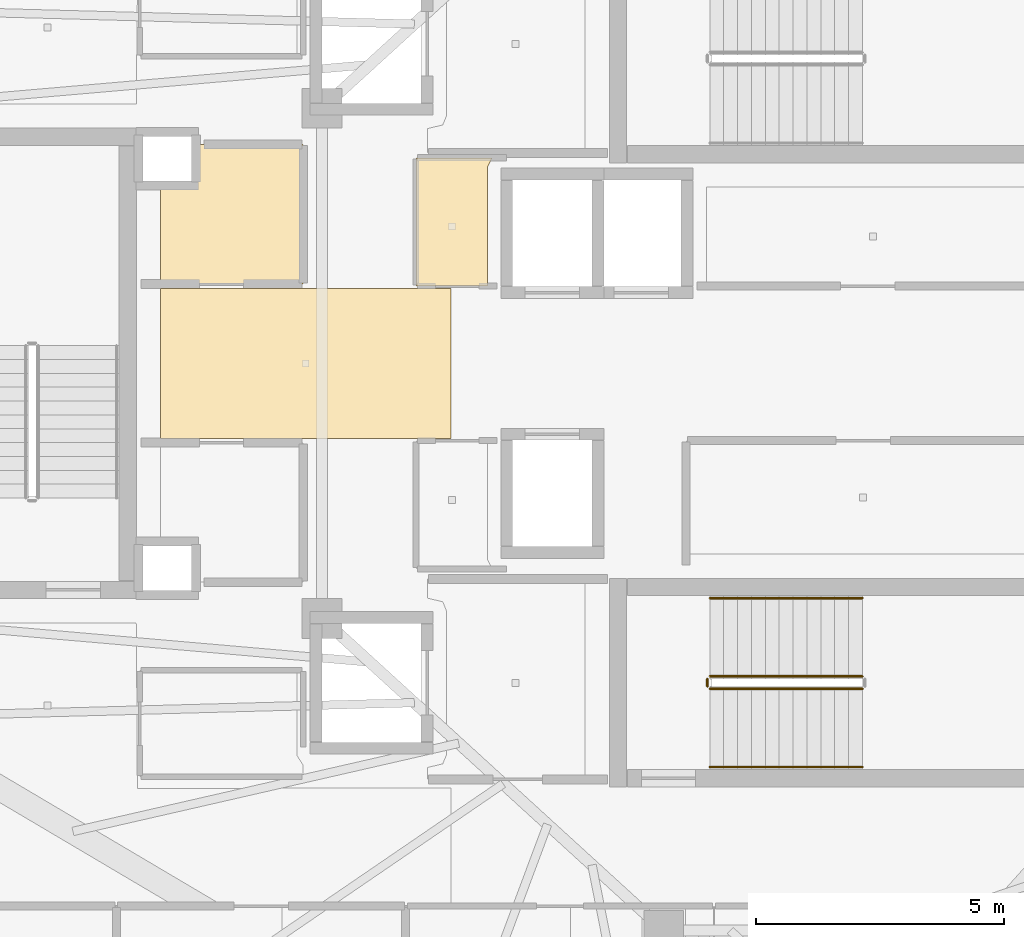
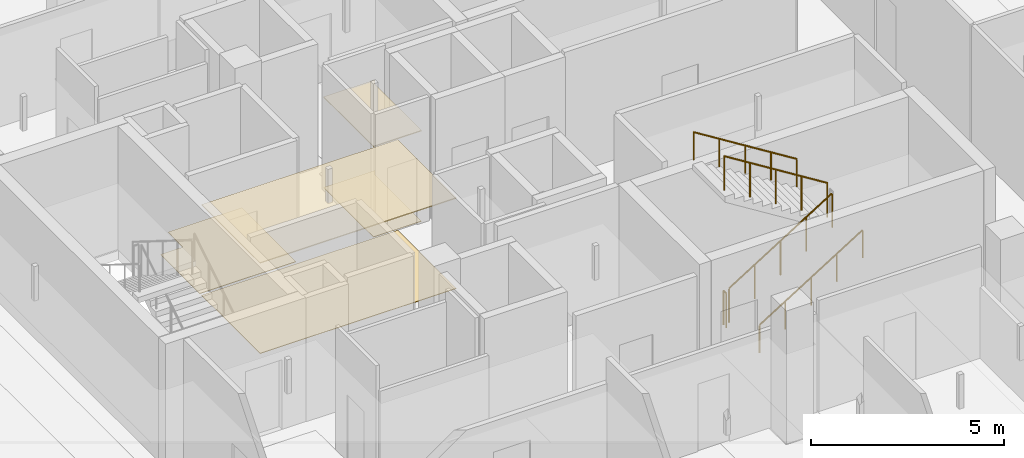
# One storey, part 30 of 33: 5 coverings, 5 railings.
"""IFC4 building model written with IfcOpenShell, lengths in metres."""

from ifc_helpers import new_model, si_unit, direction, frame, origin, origin_2d, place, context, subcontext, project, spatial, polyline, circle, outline, extrude, material, layer, layer_set, type_object, element, save


model = new_model("IFC4")

# Units and contexts
model_context = context("Model", 3, precision=1e-05, world=origin(), true_north=direction((0.0, 1.0)))
body_context = subcontext(model_context, "Body", "Model", "MODEL_VIEW")
ifc_project = project(units=[si_unit("LENGTHUNIT", "METRE"), si_unit("AREAUNIT", "SQUARE_METRE"), si_unit("VOLUMEUNIT", "CUBIC_METRE"), si_unit("PLANEANGLEUNIT", "RADIAN"), si_unit("MASSUNIT", "GRAM", prefix="KILO")], contexts=[model_context])

# Site, building, storey
site_placement = place(None, origin())
site = spatial("IfcSite", under=ifc_project, at=site_placement, CompositionType="ELEMENT")
building_placement = place(site_placement, origin())
building = spatial("IfcBuilding", under=site, at=building_placement, Name="Qorvath Tower", CompositionType="ELEMENT")
storey_placement = place(building_placement, frame((0.0, 0.0, 280.800048828125)))
storey = spatial("IfcBuildingStorey", under=building, at=storey_placement, Name="L65", CompositionType="ELEMENT", Elevation=280.800048828125)

# Coverings
ifc_material_1 = material(Name="Acoustic mineral fibre ceiling tile", Category="gypsum")
ifc_layer_1 = layer(ifc_material_1, 0.030029296875)
ifc_layer_set_1 = layer_set([ifc_layer_1], Name="COV-CEIL")
covering_type_1 = type_object("IfcCoveringType", Name="COV-CEIL", PredefinedType="CEILING", material=ifc_layer_set_1)
covering_1_placement = place(storey_placement, frame((0.0, 0.0, 2.849853515625)))
element("IfcCovering", 1, at=covering_1_placement, inside=storey, type_object=covering_type_1, Name="L65 Suspended Acoustic Ceiling 005", PredefinedType="CEILING", context=body_context, shape_type="SweptSolid", body=[
    extrude(outline(polyline([(-27.159912109375, 1.56494140625), (-27.159912109375, 3.9599609375), (-27.06689453125, 4.14501953125), (-28.594970703125, 4.14501953125), (-28.594970703125, 1.56494140625), (-27.159912109375, 1.56494140625)])), origin(), (0.0, 0.0, 1.0), 0.030029296875),
])
covering_2_placement = place(storey_placement, frame((0.0, 0.0, 2.849853515625)))
element("IfcCovering", 2, at=covering_2_placement, inside=storey, type_object=covering_type_1, Name="L65 Suspended Acoustic Ceiling 013", PredefinedType="CEILING", context=body_context, shape_type="SweptSolid", body=[
    extrude(outline(polyline([(-27.8984375, -1.514892578125), (-27.8984375, 1.514892578125), (-33.760009765625, 1.514892578125), (-33.760009765625, -1.514892578125), (-27.8984375, -1.514892578125)])), origin(), (0.0, 0.0, 1.0), 0.030029296875),
])
ifc_material_2 = material(Name="Low-VOC modular carpet tile", Category="textile")
ifc_layer_2 = layer(ifc_material_2, 0.014892578125)
ifc_layer_set_2 = layer_set([ifc_layer_2], Name="COV-FLOOR-CPT")
covering_type_2 = type_object("IfcCoveringType", Name="COV-FLOOR-CPT", PredefinedType="FLOORING", material=ifc_layer_set_2)
covering_3_placement = place(storey_placement, origin())
element("IfcCovering", 3, at=covering_3_placement, inside=storey, type_object=covering_type_2, Name="L65 Floor Finish 005", PredefinedType="FLOORING", context=body_context, shape_type="SweptSolid", body=[
    extrude(outline(polyline([(-27.159912109375, 1.56494140625), (-27.159912109375, 3.9599609375), (-27.06689453125, 4.14501953125), (-28.594970703125, 4.14501953125), (-28.594970703125, 1.56494140625), (-27.159912109375, 1.56494140625)])), origin(), (0.0, 0.0, 1.0), 0.014892578125),
])
covering_4_placement = place(storey_placement, origin())
element("IfcCovering", 4, at=covering_4_placement, inside=storey, type_object=covering_type_2, Name="L65 Floor Finish 008", PredefinedType="FLOORING", context=body_context, shape_type="SweptSolid", body=[
    extrude(outline(polyline([(-33.760009765625, 3.636962890625), (-33.760009765625, 1.60498046875), (-30.885009765625, 1.60498046875), (-30.885009765625, 4.4150390625), (-33.0869140625, 4.4150390625), (-33.092041015625, 3.636962890625), (-33.760009765625, 3.636962890625)])), origin(), (0.0, 0.0, 1.0), 0.014892578125),
])
ifc_material_3 = material(Name="Polished epoxy terrazzo flooring", Category="concrete")
ifc_layer_3 = layer(ifc_material_3, 0.02001953125)
ifc_layer_set_3 = layer_set([ifc_layer_3], Name="COV-FLOOR-TRZ")
covering_type_3 = type_object("IfcCoveringType", Name="COV-FLOOR-TRZ", PredefinedType="FLOORING", material=ifc_layer_set_3)
covering_5_placement = place(storey_placement, origin())
element("IfcCovering", 5, at=covering_5_placement, inside=storey, type_object=covering_type_3, Name="L65 Floor Finish 013", PredefinedType="FLOORING", context=body_context, shape_type="SweptSolid", body=[
    extrude(outline(polyline([(-27.8984375, -1.514892578125), (-27.8984375, 1.514892578125), (-33.760009765625, 1.514892578125), (-33.760009765625, -1.514892578125), (-27.8984375, -1.514892578125)])), origin(), (0.0, 0.0, 1.0), 0.014892578125),
])

# Railings
ifc_material_4 = material(Name="Painted galvanised steel", Category="steel")
railing_type_1 = type_object("IfcRailingType", Name="RL-STR-GRD", PredefinedType="GUARDRAIL", material=ifc_material_4)
railing_1_placement = place(storey_placement, frame((-22.669921875, -6.570068359375, 0.175048828125)))
element("IfcRailing", 6, at=railing_1_placement, inside=storey, type_object=railing_type_1, Name="L65 TS2 stair guard 1", PredefinedType="GUARDRAIL", context=body_context, shape_type="SweptSolid", body=[
    extrude(circle(Radius=0.02392578125, at=origin_2d()), frame((0.0, 0.0, 1.076171875), z_axis=(0.848009633417, 0.0, 0.529980812513), x_axis=(0.0, 1.0, 0.0)), (0.0, 0.0, 1.0), 3.6318359375),
    extrude(circle(Radius=0.02099609375, at=origin_2d()), origin(), (0.0, 0.0, 1.0), 1.052001953125),
    extrude(circle(Radius=0.02099609375, at=origin_2d()), frame((0.77001953125, 0.0, 0.481201171875)), (0.0, 0.0, 1.0), 1.052001953125),
    extrude(circle(Radius=0.02099609375, at=origin_2d()), frame((1.5400390625, 0.0, 0.96240234375)), (0.0, 0.0, 1.0), 1.052001953125),
    extrude(circle(Radius=0.02099609375, at=origin_2d()), frame((2.309814453125, 0.0, 1.443603515625)), (0.0, 0.0, 1.0), 1.052001953125),
    extrude(circle(Radius=0.02099609375, at=origin_2d()), frame((3.079833984375, 0.0, 1.9248046875)), (0.0, 0.0, 1.0), 1.052001953125),
])
railing_2_placement = place(storey_placement, frame((-19.590087890625, -6.320068359375, 2.27490234375)))
element("IfcRailing", 7, at=railing_2_placement, inside=storey, type_object=railing_type_1, Name="L65 TS2 stair guard 3", PredefinedType="GUARDRAIL", context=body_context, shape_type="SweptSolid", body=[
    extrude(circle(Radius=0.02392578125, at=origin_2d()), frame((0.0, 0.0, 1.076171875), z_axis=(-0.847979421464, 0.0, 0.530029150871), x_axis=(0.0, -1.0, 0.0)), (0.0, 0.0, 1.0), 3.632080078125),
    extrude(circle(Radius=0.02099609375, at=origin_2d()), origin(), (0.0, 0.0, 1.0), 1.052001953125),
    extrude(circle(Radius=0.02099609375, at=origin_2d()), frame((-0.77001953125, 0.0, 0.481201171875)), (0.0, 0.0, 1.0), 1.052001953125),
    extrude(circle(Radius=0.02099609375, at=origin_2d()), frame((-1.5400390625, 0.0, 0.96240234375)), (0.0, 0.0, 1.0), 1.052001953125),
    extrude(circle(Radius=0.02099609375, at=origin_2d()), frame((-2.309814453125, 0.0, 1.44384765625)), (0.0, 0.0, 1.0), 1.052001953125),
    extrude(circle(Radius=0.02099609375, at=origin_2d()), frame((-3.079833984375, 0.0, 1.925048828125)), (0.0, 0.0, 1.0), 1.052001953125),
])
railing_3_placement = place(storey_placement, frame((-22.719970703125, -6.52001953125, 0.0)))
element("IfcRailing", 8, at=railing_3_placement, inside=storey, type_object=railing_type_1, Name="L65 TS2 stair guard 4", PredefinedType="GUARDRAIL", context=body_context, shape_type="SweptSolid", body=[
    extrude(circle(Radius=0.02392578125, at=origin_2d()), frame((0.0, 0.0, 1.076171875), z_axis=(0.0, 1.0, 0.0), x_axis=(-1.0, 0.0, 0.0)), (0.0, 0.0, 1.0), 0.14990234375),
    extrude(circle(Radius=0.02099609375, at=origin_2d()), origin(), (0.0, 0.0, 1.0), 1.052001953125),
    extrude(circle(Radius=0.02099609375, at=origin_2d()), frame((0.0, 0.14990234375, 0.0)), (0.0, 0.0, 1.0), 1.052001953125),
])
ifc_material_5 = material(Name="Brushed stainless steel AISI 304", Category="steel")
railing_type_2 = type_object("IfcRailingType", Name="RL-STR-HND", PredefinedType="HANDRAIL", material=ifc_material_5)
railing_4_placement = place(storey_placement, frame((-22.669921875, -8.14990234375, 0.175048828125)))
element("IfcRailing", 9, at=railing_4_placement, inside=storey, type_object=railing_type_2, Name="L65 TS2 stair handrail 1", PredefinedType="HANDRAIL", context=body_context, shape_type="SweptSolid", body=[
    extrude(circle(Radius=0.02392578125, at=origin_2d()), frame((0.0, 0.0, 0.8759765625), z_axis=(0.848009633417, 0.0, 0.529980812513), x_axis=(0.0, 1.0, 0.0)), (0.0, 0.0, 1.0), 3.6318359375),
    extrude(circle(Radius=0.02099609375, at=origin_2d()), origin(), (0.0, 0.0, 1.0), 0.851806640625),
    extrude(circle(Radius=0.02099609375, at=origin_2d()), frame((0.77001953125, 0.0, 0.481201171875)), (0.0, 0.0, 1.0), 0.851806640625),
    extrude(circle(Radius=0.02099609375, at=origin_2d()), frame((1.5400390625, 0.0, 0.96240234375)), (0.0, 0.0, 1.0), 0.851806640625),
    extrude(circle(Radius=0.02099609375, at=origin_2d()), frame((2.309814453125, 0.0, 1.443603515625)), (0.0, 0.0, 1.0), 0.851806640625),
    extrude(circle(Radius=0.02099609375, at=origin_2d()), frame((3.079833984375, 0.0, 1.9248046875)), (0.0, 0.0, 1.0), 0.851806640625),
])
railing_5_placement = place(storey_placement, frame((-19.590087890625, -4.739990234375, 2.27490234375)))
element("IfcRailing", 10, at=railing_5_placement, inside=storey, type_object=railing_type_2, Name="L65 TS2 stair handrail 2", PredefinedType="HANDRAIL", context=body_context, shape_type="SweptSolid", body=[
    extrude(circle(Radius=0.02392578125, at=origin_2d()), frame((0.0, 0.0, 0.8759765625), z_axis=(-0.847979421464, 0.0, 0.530029150871), x_axis=(0.0, -1.0, 0.0)), (0.0, 0.0, 1.0), 3.632080078125),
    extrude(circle(Radius=0.02099609375, at=origin_2d()), origin(), (0.0, 0.0, 1.0), 0.851806640625),
    extrude(circle(Radius=0.02099609375, at=origin_2d()), frame((-0.77001953125, 0.0, 0.481201171875)), (0.0, 0.0, 1.0), 0.851806640625),
    extrude(circle(Radius=0.02099609375, at=origin_2d()), frame((-1.5400390625, 0.0, 0.96240234375)), (0.0, 0.0, 1.0), 0.851806640625),
    extrude(circle(Radius=0.02099609375, at=origin_2d()), frame((-2.309814453125, 0.0, 1.44384765625)), (0.0, 0.0, 1.0), 0.851806640625),
    extrude(circle(Radius=0.02099609375, at=origin_2d()), frame((-3.079833984375, 0.0, 1.925048828125)), (0.0, 0.0, 1.0), 0.851806640625),
])

save(model, "model.ifc")
